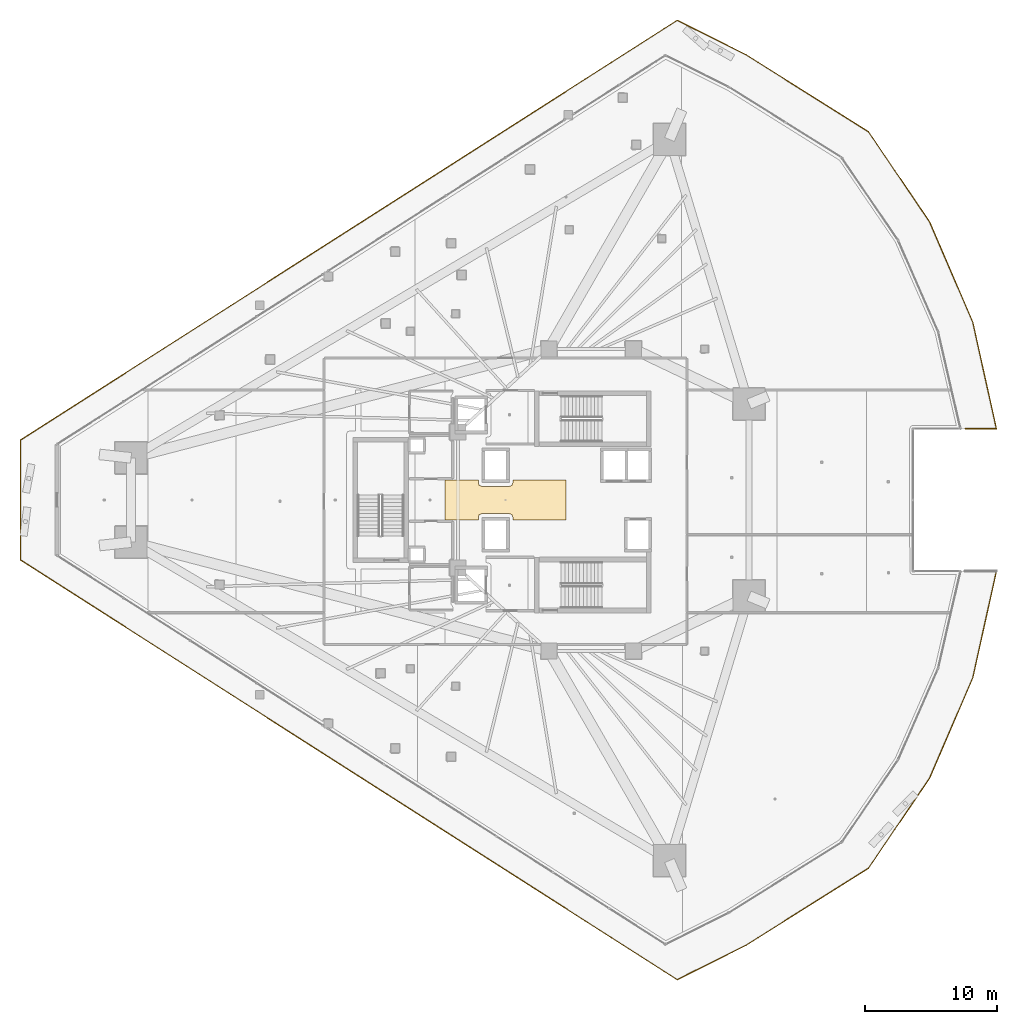
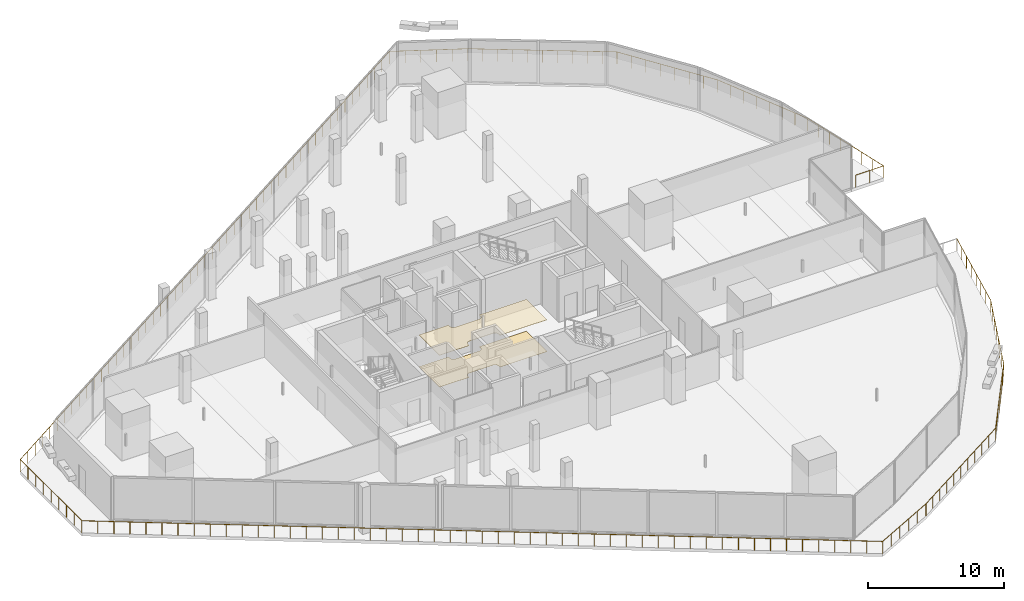
# One storey, part 40 of 42: 2 coverings, 1 railing.
"""IFC4 building model written with IfcOpenShell, lengths in metres."""

from ifc_helpers import new_model, si_unit, direction, frame, origin, origin_2d, place, context, subcontext, project, spatial, polyline, circle, outline, extrude, material, layer, layer_set, type_object, element, save


model = new_model("IFC4")

# Units and contexts
model_context = context("Model", 3, precision=1e-05, world=origin(), true_north=direction((0.0, 1.0)))
body_context = subcontext(model_context, "Body", "Model", "MODEL_VIEW")
ifc_project = project(units=[si_unit("LENGTHUNIT", "METRE"), si_unit("AREAUNIT", "SQUARE_METRE"), si_unit("VOLUMEUNIT", "CUBIC_METRE"), si_unit("PLANEANGLEUNIT", "RADIAN"), si_unit("MASSUNIT", "GRAM", prefix="KILO")], contexts=[model_context])

# Site, building, storey
site_placement = place(None, origin())
site = spatial("IfcSite", under=ifc_project, at=site_placement, CompositionType="ELEMENT")
building_placement = place(site_placement, origin())
building = spatial("IfcBuilding", under=site, at=building_placement, Name="Qorvath Tower", CompositionType="ELEMENT")
storey_placement = place(building_placement, frame((0.0, 0.0, 32.39990234375)))
storey = spatial("IfcBuildingStorey", under=building, at=storey_placement, Name="L06", CompositionType="ELEMENT", Elevation=32.39990234375)

# Coverings
ifc_material_1 = material(Name="Acoustic mineral fibre ceiling tile", Category="gypsum")
ifc_layer_1 = layer(ifc_material_1, 0.030029296875)
ifc_layer_set_1 = layer_set([ifc_layer_1], Name="COV-CEIL")
covering_type_1 = type_object("IfcCoveringType", Name="COV-CEIL", PredefinedType="CEILING", material=ifc_layer_set_1)
covering_1_placement = place(storey_placement, frame((0.0, 0.0, 2.85009765625)))
element("IfcCovering", 1, at=covering_1_placement, inside=storey, type_object=covering_type_1, Name="L06 Suspended Acoustic Ceiling 009", PredefinedType="CEILING", context=body_context, shape_type="SweptSolid", body=[
    extrude(outline(polyline([(-22.318359375, -1.514892578125), (-22.318359375, 1.514892578125), (-26.340087890625, 1.514892578125), (-26.340087890625, 1.2900390625), (-26.413330078125, 1.11328125), (-26.590087890625, 1.0400390625), (-28.7099609375, 1.0400390625), (-28.88671875, 1.11328125), (-28.9599609375, 1.2900390625), (-28.9599609375, 1.514892578125), (-31.481689453125, 1.514892578125), (-31.481689453125, -1.514892578125), (-28.9599609375, -1.514892578125), (-28.9599609375, -1.2900390625), (-28.88671875, -1.11328125), (-28.7099609375, -1.0400390625), (-26.590087890625, -1.0400390625), (-26.413330078125, -1.11328125), (-26.340087890625, -1.2900390625), (-26.340087890625, -1.514892578125), (-22.318359375, -1.514892578125)])), origin(), (0.0, 0.0, 1.0), 0.030029296875),
])
ifc_material_2 = material(Name="Polished epoxy terrazzo flooring", Category="concrete")
ifc_layer_2 = layer(ifc_material_2, 0.02001953125)
ifc_layer_set_2 = layer_set([ifc_layer_2], Name="COV-FLOOR-TRZ")
covering_type_2 = type_object("IfcCoveringType", Name="COV-FLOOR-TRZ", PredefinedType="FLOORING", material=ifc_layer_set_2)
covering_2_placement = place(storey_placement, origin())
element("IfcCovering", 2, at=covering_2_placement, inside=storey, type_object=covering_type_2, Name="L06 Floor Finish 009", PredefinedType="FLOORING", context=body_context, shape_type="SweptSolid", body=[
    extrude(outline(polyline([(-22.318359375, -1.514892578125), (-22.318359375, 1.514892578125), (-26.340087890625, 1.514892578125), (-26.340087890625, 1.2900390625), (-26.413330078125, 1.11328125), (-26.590087890625, 1.0400390625), (-28.7099609375, 1.0400390625), (-28.88671875, 1.11328125), (-28.9599609375, 1.2900390625), (-28.9599609375, 1.514892578125), (-31.481689453125, 1.514892578125), (-31.481689453125, -1.514892578125), (-28.9599609375, -1.514892578125), (-28.9599609375, -1.2900390625), (-28.88671875, -1.11328125), (-28.7099609375, -1.0400390625), (-26.590087890625, -1.0400390625), (-26.413330078125, -1.11328125), (-26.340087890625, -1.2900390625), (-26.340087890625, -1.514892578125), (-22.318359375, -1.514892578125)])), origin(), (0.0, 0.0, 1.0), 0.01513671875),
])

# Railing
ifc_material_3 = material(Name="Laminated safety glass and stainless steel AISI 316", Category="steel")
railing_type = type_object("IfcRailingType", Name="RL-EXT-GRD", PredefinedType="GUARDRAIL", material=ifc_material_3)
railing_placement = place(storey_placement, frame((10.32080078125, -5.39990234375, 0.0)))
element("IfcRailing", 3, at=railing_placement, inside=storey, type_object=railing_type, Name="Loggia Perimeter Guardrail L06-1.1", PredefinedType="GUARDRAIL", context=body_context, shape_type="SweptSolid", body=[
    extrude(circle(Radius=0.02392578125, at=origin_2d()), frame((0.0, 0.0, 1.09619140625), z_axis=(-0.216111367319, -0.976368719755, 0.0), x_axis=(0.976368719755, -0.216111367319, 0.0)), (0.0, 0.0, 1.0), 8.269287109375),
    extrude(circle(Radius=0.02392578125, at=origin_2d()), frame((-1.787109375, -8.073974609375, 1.09619140625), z_axis=(-0.395490176662, -0.918470206465, 0.0), x_axis=(0.918470206465, -0.395490176662, 0.0)), (0.0, 0.0, 1.0), 8.268798828125),
    extrude(circle(Radius=0.02392578125, at=origin_2d()), frame((-5.057373046875, -15.668701171875, 1.09619140625), z_axis=(-0.560810281293, -0.827944338948, 0.0), x_axis=(0.827944338948, -0.560810281293, 0.0)), (0.0, 0.0, 1.0), 8.269287109375),
    extrude(circle(Radius=0.02392578125, at=origin_2d()), frame((-9.69482421875, -22.51513671875, 1.09619140625), z_axis=(-0.846501906078, -0.532385690084, 0.0), x_axis=(0.532385690084, -0.846501906078, 0.0)), (0.0, 0.0, 1.0), 10.996337890625),
    extrude(circle(Radius=0.02392578125, at=origin_2d()), frame((-19.003173828125, -28.369384765625, 1.09619140625), z_axis=(-0.894410378143, -0.447247219634, 0.0), x_axis=(0.447247219634, -0.894410378143, 0.0)), (0.0, 0.0, 1.0), 5.80859375),
    extrude(circle(Radius=0.02392578125, at=origin_2d()), frame((-24.198486328125, -30.96728515625, 1.09619140625), z_axis=(-0.842603507833, 0.538534426557, 0.0), x_axis=(-0.538534426557, -0.842603507833, 0.0)), (0.0, 0.0, 1.0), 59.088623046875),
    extrude(circle(Radius=0.02392578125, at=origin_2d()), frame((-73.98681640625, 0.85400390625, 1.09619140625), z_axis=(0.0, 1.0, 0.0), x_axis=(-1.0, 0.0, 0.0)), (0.0, 0.0, 1.0), 9.091796875),
    extrude(circle(Radius=0.02392578125, at=origin_2d()), frame((-73.98681640625, 9.94580078125, 1.09619140625), z_axis=(0.842603507833, 0.538534426557, 0.0), x_axis=(-0.538534426557, 0.842603507833, 0.0)), (0.0, 0.0, 1.0), 59.088623046875),
    extrude(circle(Radius=0.02392578125, at=origin_2d()), frame((-24.198486328125, 41.76708984375, 1.09619140625), z_axis=(0.894410378143, -0.447247219634, 0.0), x_axis=(0.447247219634, 0.894410378143, 0.0)), (0.0, 0.0, 1.0), 5.80859375),
    extrude(circle(Radius=0.02392578125, at=origin_2d()), frame((-19.003173828125, 39.169189453125, 1.09619140625), z_axis=(0.846501906078, -0.532385690084, 0.0), x_axis=(0.532385690084, 0.846501906078, 0.0)), (0.0, 0.0, 1.0), 10.996337890625),
    extrude(circle(Radius=0.02392578125, at=origin_2d()), frame((-9.69482421875, 33.31494140625, 1.09619140625), z_axis=(0.560810281293, -0.827944338948, 0.0), x_axis=(0.827944338948, 0.560810281293, 0.0)), (0.0, 0.0, 1.0), 8.269287109375),
    extrude(circle(Radius=0.02392578125, at=origin_2d()), frame((-5.057373046875, 26.468505859375, 1.09619140625), z_axis=(0.395490176662, -0.918470206465, 0.0), x_axis=(0.918470206465, 0.395490176662, 0.0)), (0.0, 0.0, 1.0), 8.268798828125),
    extrude(circle(Radius=0.02392578125, at=origin_2d()), frame((-1.787109375, 18.873779296875, 1.09619140625), z_axis=(0.216111367319, -0.976368719755, 0.0), x_axis=(0.976368719755, 0.216111367319, 0.0)), (0.0, 0.0, 1.0), 8.269287109375),
    extrude(circle(Radius=0.02392578125, at=origin_2d()), frame((0.0, 10.7998046875, 1.09619140625), z_axis=(-1.0, 0.0, 0.0), x_axis=(0.0, -1.0, 0.0)), (0.0, 0.0, 1.0), 2.366455078125),
    extrude(circle(Radius=0.02099609375, at=origin_2d()), origin(), (0.0, 0.0, 1.0), 1.072021484375),
    extrude(circle(Radius=0.02099609375, at=origin_2d()), frame((-0.25537109375, -1.1533203125, 0.0)), (0.0, 0.0, 1.0), 1.072021484375),
    extrude(circle(Radius=0.02099609375, at=origin_2d()), frame((-0.510498046875, -2.306884765625, 0.0)), (0.0, 0.0, 1.0), 1.072021484375),
    extrude(circle(Radius=0.02099609375, at=origin_2d()), frame((-0.765869140625, -3.460205078125, 0.0)), (0.0, 0.0, 1.0), 1.072021484375),
    extrude(circle(Radius=0.02099609375, at=origin_2d()), frame((-1.021240234375, -4.61376953125, 0.0)), (0.0, 0.0, 1.0), 1.072021484375),
    extrude(circle(Radius=0.02099609375, at=origin_2d()), frame((-1.276611328125, -5.76708984375, 0.0)), (0.0, 0.0, 1.0), 1.072021484375),
    extrude(circle(Radius=0.02099609375, at=origin_2d()), frame((-1.53173828125, -6.920654296875, 0.0)), (0.0, 0.0, 1.0), 1.072021484375),
    extrude(circle(Radius=0.02099609375, at=origin_2d()), frame((-1.787109375, -8.073974609375, 0.0)), (0.0, 0.0, 1.0), 1.072021484375),
    extrude(circle(Radius=0.02099609375, at=origin_2d()), frame((-2.25439453125, -9.158935546875, 0.0)), (0.0, 0.0, 1.0), 1.072021484375),
    extrude(circle(Radius=0.02099609375, at=origin_2d()), frame((-2.721435546875, -10.243896484375, 0.0)), (0.0, 0.0, 1.0), 1.072021484375),
    extrude(circle(Radius=0.02099609375, at=origin_2d()), frame((-3.188720703125, -11.328857421875, 0.0)), (0.0, 0.0, 1.0), 1.072021484375),
    extrude(circle(Radius=0.02099609375, at=origin_2d()), frame((-3.65576171875, -12.413818359375, 0.0)), (0.0, 0.0, 1.0), 1.072021484375),
    extrude(circle(Radius=0.02099609375, at=origin_2d()), frame((-4.123046875, -13.498779296875, 0.0)), (0.0, 0.0, 1.0), 1.072021484375),
    extrude(circle(Radius=0.02099609375, at=origin_2d()), frame((-4.590087890625, -14.583740234375, 0.0)), (0.0, 0.0, 1.0), 1.072021484375),
    extrude(circle(Radius=0.02099609375, at=origin_2d()), frame((-5.057373046875, -15.668701171875, 0.0)), (0.0, 0.0, 1.0), 1.072021484375),
    extrude(circle(Radius=0.02099609375, at=origin_2d()), frame((-5.719970703125, -16.646728515625, 0.0)), (0.0, 0.0, 1.0), 1.072021484375),
    extrude(circle(Radius=0.02099609375, at=origin_2d()), frame((-6.38232421875, -17.624755859375, 0.0)), (0.0, 0.0, 1.0), 1.072021484375),
    extrude(circle(Radius=0.02099609375, at=origin_2d()), frame((-7.044921875, -18.602783203125, 0.0)), (0.0, 0.0, 1.0), 1.072021484375),
    extrude(circle(Radius=0.02099609375, at=origin_2d()), frame((-7.707275390625, -19.5810546875, 0.0)), (0.0, 0.0, 1.0), 1.072021484375),
    extrude(circle(Radius=0.02099609375, at=origin_2d()), frame((-8.369873046875, -20.55908203125, 0.0)), (0.0, 0.0, 1.0), 1.072021484375),
    extrude(circle(Radius=0.02099609375, at=origin_2d()), frame((-9.0322265625, -21.537109375, 0.0)), (0.0, 0.0, 1.0), 1.072021484375),
    extrude(circle(Radius=0.02099609375, at=origin_2d()), frame((-9.69482421875, -22.51513671875, 0.0)), (0.0, 0.0, 1.0), 1.072021484375),
    extrude(circle(Radius=0.02099609375, at=origin_2d()), frame((-10.625732421875, -23.1005859375, 0.0)), (0.0, 0.0, 1.0), 1.072021484375),
    extrude(circle(Radius=0.02099609375, at=origin_2d()), frame((-11.556396484375, -23.68603515625, 0.0)), (0.0, 0.0, 1.0), 1.072021484375),
    extrude(circle(Radius=0.02099609375, at=origin_2d()), frame((-12.4873046875, -24.271484375, 0.0)), (0.0, 0.0, 1.0), 1.072021484375),
    extrude(circle(Radius=0.02099609375, at=origin_2d()), frame((-13.418212890625, -24.85693359375, 0.0)), (0.0, 0.0, 1.0), 1.072021484375),
    extrude(circle(Radius=0.02099609375, at=origin_2d()), frame((-14.34912109375, -25.4423828125, 0.0)), (0.0, 0.0, 1.0), 1.072021484375),
    extrude(circle(Radius=0.02099609375, at=origin_2d()), frame((-15.27978515625, -26.027587890625, 0.0)), (0.0, 0.0, 1.0), 1.072021484375),
    extrude(circle(Radius=0.02099609375, at=origin_2d()), frame((-16.210693359375, -26.613037109375, 0.0)), (0.0, 0.0, 1.0), 1.072021484375),
    extrude(circle(Radius=0.02099609375, at=origin_2d()), frame((-17.1416015625, -27.198486328125, 0.0)), (0.0, 0.0, 1.0), 1.072021484375),
    extrude(circle(Radius=0.02099609375, at=origin_2d()), frame((-18.072265625, -27.783935546875, 0.0)), (0.0, 0.0, 1.0), 1.072021484375),
    extrude(circle(Radius=0.02099609375, at=origin_2d()), frame((-19.003173828125, -28.369384765625, 0.0)), (0.0, 0.0, 1.0), 1.072021484375),
    extrude(circle(Radius=0.02099609375, at=origin_2d()), frame((-20.042236328125, -28.888916015625, 0.0)), (0.0, 0.0, 1.0), 1.072021484375),
    extrude(circle(Radius=0.02099609375, at=origin_2d()), frame((-21.081298828125, -29.408447265625, 0.0)), (0.0, 0.0, 1.0), 1.072021484375),
    extrude(circle(Radius=0.02099609375, at=origin_2d()), frame((-22.120361328125, -29.92822265625, 0.0)), (0.0, 0.0, 1.0), 1.072021484375),
    extrude(circle(Radius=0.02099609375, at=origin_2d()), frame((-23.159423828125, -30.44775390625, 0.0)), (0.0, 0.0, 1.0), 1.072021484375),
    extrude(circle(Radius=0.02099609375, at=origin_2d()), frame((-24.198486328125, -30.96728515625, 0.0)), (0.0, 0.0, 1.0), 1.072021484375),
    extrude(circle(Radius=0.02099609375, at=origin_2d()), frame((-25.1943359375, -30.330810546875, 0.0)), (0.0, 0.0, 1.0), 1.072021484375),
    extrude(circle(Radius=0.02099609375, at=origin_2d()), frame((-26.18994140625, -29.6943359375, 0.0)), (0.0, 0.0, 1.0), 1.072021484375),
    extrude(circle(Radius=0.02099609375, at=origin_2d()), frame((-27.185791015625, -29.05810546875, 0.0)), (0.0, 0.0, 1.0), 1.072021484375),
    extrude(circle(Radius=0.02099609375, at=origin_2d()), frame((-28.181640625, -28.421630859375, 0.0)), (0.0, 0.0, 1.0), 1.072021484375),
    extrude(circle(Radius=0.02099609375, at=origin_2d()), frame((-29.17724609375, -27.78515625, 0.0)), (0.0, 0.0, 1.0), 1.072021484375),
    extrude(circle(Radius=0.02099609375, at=origin_2d()), frame((-30.173095703125, -27.148681640625, 0.0)), (0.0, 0.0, 1.0), 1.072021484375),
    extrude(circle(Radius=0.02099609375, at=origin_2d()), frame((-31.1689453125, -26.51220703125, 0.0)), (0.0, 0.0, 1.0), 1.072021484375),
    extrude(circle(Radius=0.02099609375, at=origin_2d()), frame((-32.16455078125, -25.8759765625, 0.0)), (0.0, 0.0, 1.0), 1.072021484375),
    extrude(circle(Radius=0.02099609375, at=origin_2d()), frame((-33.160400390625, -25.239501953125, 0.0)), (0.0, 0.0, 1.0), 1.072021484375),
    extrude(circle(Radius=0.02099609375, at=origin_2d()), frame((-34.15625, -24.60302734375, 0.0)), (0.0, 0.0, 1.0), 1.072021484375),
    extrude(circle(Radius=0.02099609375, at=origin_2d()), frame((-35.15185546875, -23.966552734375, 0.0)), (0.0, 0.0, 1.0), 1.072021484375),
    extrude(circle(Radius=0.02099609375, at=origin_2d()), frame((-36.147705078125, -23.330078125, 0.0)), (0.0, 0.0, 1.0), 1.072021484375),
    extrude(circle(Radius=0.02099609375, at=origin_2d()), frame((-37.1435546875, -22.69384765625, 0.0)), (0.0, 0.0, 1.0), 1.072021484375),
    extrude(circle(Radius=0.02099609375, at=origin_2d()), frame((-38.13916015625, -22.057373046875, 0.0)), (0.0, 0.0, 1.0), 1.072021484375),
    extrude(circle(Radius=0.02099609375, at=origin_2d()), frame((-39.135009765625, -21.4208984375, 0.0)), (0.0, 0.0, 1.0), 1.072021484375),
    extrude(circle(Radius=0.02099609375, at=origin_2d()), frame((-40.130859375, -20.784423828125, 0.0)), (0.0, 0.0, 1.0), 1.072021484375),
    extrude(circle(Radius=0.02099609375, at=origin_2d()), frame((-41.12646484375, -20.14794921875, 0.0)), (0.0, 0.0, 1.0), 1.072021484375),
    extrude(circle(Radius=0.02099609375, at=origin_2d()), frame((-42.122314453125, -19.51171875, 0.0)), (0.0, 0.0, 1.0), 1.072021484375),
    extrude(circle(Radius=0.02099609375, at=origin_2d()), frame((-43.1181640625, -18.875244140625, 0.0)), (0.0, 0.0, 1.0), 1.072021484375),
    extrude(circle(Radius=0.02099609375, at=origin_2d()), frame((-44.11376953125, -18.23876953125, 0.0)), (0.0, 0.0, 1.0), 1.072021484375),
    extrude(circle(Radius=0.02099609375, at=origin_2d()), frame((-45.109619140625, -17.602294921875, 0.0)), (0.0, 0.0, 1.0), 1.072021484375),
    extrude(circle(Radius=0.02099609375, at=origin_2d()), frame((-46.10546875, -16.9658203125, 0.0)), (0.0, 0.0, 1.0), 1.072021484375),
    extrude(circle(Radius=0.02099609375, at=origin_2d()), frame((-47.10107421875, -16.32958984375, 0.0)), (0.0, 0.0, 1.0), 1.072021484375),
    extrude(circle(Radius=0.02099609375, at=origin_2d()), frame((-48.096923828125, -15.693115234375, 0.0)), (0.0, 0.0, 1.0), 1.072021484375),
    extrude(circle(Radius=0.02099609375, at=origin_2d()), frame((-49.0927734375, -15.056640625, 0.0)), (0.0, 0.0, 1.0), 1.072021484375),
    extrude(circle(Radius=0.02099609375, at=origin_2d()), frame((-50.08837890625, -14.420166015625, 0.0)), (0.0, 0.0, 1.0), 1.072021484375),
    extrude(circle(Radius=0.02099609375, at=origin_2d()), frame((-51.084228515625, -13.78369140625, 0.0)), (0.0, 0.0, 1.0), 1.072021484375),
    extrude(circle(Radius=0.02099609375, at=origin_2d()), frame((-52.079833984375, -13.1474609375, 0.0)), (0.0, 0.0, 1.0), 1.072021484375),
    extrude(circle(Radius=0.02099609375, at=origin_2d()), frame((-53.07568359375, -12.510986328125, 0.0)), (0.0, 0.0, 1.0), 1.072021484375),
    extrude(circle(Radius=0.02099609375, at=origin_2d()), frame((-54.071533203125, -11.87451171875, 0.0)), (0.0, 0.0, 1.0), 1.072021484375),
    extrude(circle(Radius=0.02099609375, at=origin_2d()), frame((-55.067138671875, -11.238037109375, 0.0)), (0.0, 0.0, 1.0), 1.072021484375),
    extrude(circle(Radius=0.02099609375, at=origin_2d()), frame((-56.06298828125, -10.6015625, 0.0)), (0.0, 0.0, 1.0), 1.072021484375),
    extrude(circle(Radius=0.02099609375, at=origin_2d()), frame((-57.058837890625, -9.96533203125, 0.0)), (0.0, 0.0, 1.0), 1.072021484375),
    extrude(circle(Radius=0.02099609375, at=origin_2d()), frame((-58.054443359375, -9.328857421875, 0.0)), (0.0, 0.0, 1.0), 1.072021484375),
    extrude(circle(Radius=0.02099609375, at=origin_2d()), frame((-59.05029296875, -8.6923828125, 0.0)), (0.0, 0.0, 1.0), 1.072021484375),
    extrude(circle(Radius=0.02099609375, at=origin_2d()), frame((-60.046142578125, -8.055908203125, 0.0)), (0.0, 0.0, 1.0), 1.072021484375),
    extrude(circle(Radius=0.02099609375, at=origin_2d()), frame((-61.041748046875, -7.41943359375, 0.0)), (0.0, 0.0, 1.0), 1.072021484375),
    extrude(circle(Radius=0.02099609375, at=origin_2d()), frame((-62.03759765625, -6.783203125, 0.0)), (0.0, 0.0, 1.0), 1.072021484375),
    extrude(circle(Radius=0.02099609375, at=origin_2d()), frame((-63.033447265625, -6.146728515625, 0.0)), (0.0, 0.0, 1.0), 1.072021484375),
    extrude(circle(Radius=0.02099609375, at=origin_2d()), frame((-64.029052734375, -5.51025390625, 0.0)), (0.0, 0.0, 1.0), 1.072021484375),
    extrude(circle(Radius=0.02099609375, at=origin_2d()), frame((-65.02490234375, -4.873779296875, 0.0)), (0.0, 0.0, 1.0), 1.072021484375),
    extrude(circle(Radius=0.02099609375, at=origin_2d()), frame((-66.020751953125, -4.2373046875, 0.0)), (0.0, 0.0, 1.0), 1.072021484375),
    extrude(circle(Radius=0.02099609375, at=origin_2d()), frame((-67.016357421875, -3.60107421875, 0.0)), (0.0, 0.0, 1.0), 1.072021484375),
    extrude(circle(Radius=0.02099609375, at=origin_2d()), frame((-68.01220703125, -2.964599609375, 0.0)), (0.0, 0.0, 1.0), 1.072021484375),
    extrude(circle(Radius=0.02099609375, at=origin_2d()), frame((-69.008056640625, -2.328125, 0.0)), (0.0, 0.0, 1.0), 1.072021484375),
    extrude(circle(Radius=0.02099609375, at=origin_2d()), frame((-70.003662109375, -1.691650390625, 0.0)), (0.0, 0.0, 1.0), 1.072021484375),
    extrude(circle(Radius=0.02099609375, at=origin_2d()), frame((-70.99951171875, -1.05517578125, 0.0)), (0.0, 0.0, 1.0), 1.072021484375),
    extrude(circle(Radius=0.02099609375, at=origin_2d()), frame((-71.995361328125, -0.4189453125, 0.0)), (0.0, 0.0, 1.0), 1.072021484375),
    extrude(circle(Radius=0.02099609375, at=origin_2d()), frame((-72.990966796875, 0.217529296875, 0.0)), (0.0, 0.0, 1.0), 1.072021484375),
    extrude(circle(Radius=0.02099609375, at=origin_2d()), frame((-73.98681640625, 0.85400390625, 0.0)), (0.0, 0.0, 1.0), 1.072021484375),
    extrude(circle(Radius=0.02099609375, at=origin_2d()), frame((-73.98681640625, 1.990478515625, 0.0)), (0.0, 0.0, 1.0), 1.072021484375),
    extrude(circle(Radius=0.02099609375, at=origin_2d()), frame((-73.98681640625, 3.126953125, 0.0)), (0.0, 0.0, 1.0), 1.072021484375),
    extrude(circle(Radius=0.02099609375, at=origin_2d()), frame((-73.98681640625, 4.263427734375, 0.0)), (0.0, 0.0, 1.0), 1.072021484375),
    extrude(circle(Radius=0.02099609375, at=origin_2d()), frame((-73.98681640625, 5.39990234375, 0.0)), (0.0, 0.0, 1.0), 1.072021484375),
    extrude(circle(Radius=0.02099609375, at=origin_2d()), frame((-73.98681640625, 6.536376953125, 0.0)), (0.0, 0.0, 1.0), 1.072021484375),
    extrude(circle(Radius=0.02099609375, at=origin_2d()), frame((-73.98681640625, 7.6728515625, 0.0)), (0.0, 0.0, 1.0), 1.072021484375),
    extrude(circle(Radius=0.02099609375, at=origin_2d()), frame((-73.98681640625, 8.809326171875, 0.0)), (0.0, 0.0, 1.0), 1.072021484375),
    extrude(circle(Radius=0.02099609375, at=origin_2d()), frame((-73.98681640625, 9.94580078125, 0.0)), (0.0, 0.0, 1.0), 1.072021484375),
    extrude(circle(Radius=0.02099609375, at=origin_2d()), frame((-72.990966796875, 10.582275390625, 0.0)), (0.0, 0.0, 1.0), 1.072021484375),
    extrude(circle(Radius=0.02099609375, at=origin_2d()), frame((-71.995361328125, 11.21875, 0.0)), (0.0, 0.0, 1.0), 1.072021484375),
    extrude(circle(Radius=0.02099609375, at=origin_2d()), frame((-70.99951171875, 11.85498046875, 0.0)), (0.0, 0.0, 1.0), 1.072021484375),
    extrude(circle(Radius=0.02099609375, at=origin_2d()), frame((-70.003662109375, 12.491455078125, 0.0)), (0.0, 0.0, 1.0), 1.072021484375),
    extrude(circle(Radius=0.02099609375, at=origin_2d()), frame((-69.008056640625, 13.1279296875, 0.0)), (0.0, 0.0, 1.0), 1.072021484375),
    extrude(circle(Radius=0.02099609375, at=origin_2d()), frame((-68.01220703125, 13.764404296875, 0.0)), (0.0, 0.0, 1.0), 1.072021484375),
    extrude(circle(Radius=0.02099609375, at=origin_2d()), frame((-67.016357421875, 14.40087890625, 0.0)), (0.0, 0.0, 1.0), 1.072021484375),
    extrude(circle(Radius=0.02099609375, at=origin_2d()), frame((-66.020751953125, 15.037109375, 0.0)), (0.0, 0.0, 1.0), 1.072021484375),
    extrude(circle(Radius=0.02099609375, at=origin_2d()), frame((-65.02490234375, 15.673583984375, 0.0)), (0.0, 0.0, 1.0), 1.072021484375),
    extrude(circle(Radius=0.02099609375, at=origin_2d()), frame((-64.029052734375, 16.31005859375, 0.0)), (0.0, 0.0, 1.0), 1.072021484375),
    extrude(circle(Radius=0.02099609375, at=origin_2d()), frame((-63.033447265625, 16.946533203125, 0.0)), (0.0, 0.0, 1.0), 1.072021484375),
    extrude(circle(Radius=0.02099609375, at=origin_2d()), frame((-62.03759765625, 17.5830078125, 0.0)), (0.0, 0.0, 1.0), 1.072021484375),
    extrude(circle(Radius=0.02099609375, at=origin_2d()), frame((-61.041748046875, 18.21923828125, 0.0)), (0.0, 0.0, 1.0), 1.072021484375),
    extrude(circle(Radius=0.02099609375, at=origin_2d()), frame((-60.046142578125, 18.855712890625, 0.0)), (0.0, 0.0, 1.0), 1.072021484375),
    extrude(circle(Radius=0.02099609375, at=origin_2d()), frame((-59.05029296875, 19.4921875, 0.0)), (0.0, 0.0, 1.0), 1.072021484375),
    extrude(circle(Radius=0.02099609375, at=origin_2d()), frame((-58.054443359375, 20.128662109375, 0.0)), (0.0, 0.0, 1.0), 1.072021484375),
    extrude(circle(Radius=0.02099609375, at=origin_2d()), frame((-57.058837890625, 20.76513671875, 0.0)), (0.0, 0.0, 1.0), 1.072021484375),
    extrude(circle(Radius=0.02099609375, at=origin_2d()), frame((-56.06298828125, 21.4013671875, 0.0)), (0.0, 0.0, 1.0), 1.072021484375),
    extrude(circle(Radius=0.02099609375, at=origin_2d()), frame((-55.067138671875, 22.037841796875, 0.0)), (0.0, 0.0, 1.0), 1.072021484375),
    extrude(circle(Radius=0.02099609375, at=origin_2d()), frame((-54.071533203125, 22.67431640625, 0.0)), (0.0, 0.0, 1.0), 1.072021484375),
    extrude(circle(Radius=0.02099609375, at=origin_2d()), frame((-53.07568359375, 23.310791015625, 0.0)), (0.0, 0.0, 1.0), 1.072021484375),
    extrude(circle(Radius=0.02099609375, at=origin_2d()), frame((-52.079833984375, 23.947265625, 0.0)), (0.0, 0.0, 1.0), 1.072021484375),
    extrude(circle(Radius=0.02099609375, at=origin_2d()), frame((-51.084228515625, 24.58349609375, 0.0)), (0.0, 0.0, 1.0), 1.072021484375),
    extrude(circle(Radius=0.02099609375, at=origin_2d()), frame((-50.08837890625, 25.219970703125, 0.0)), (0.0, 0.0, 1.0), 1.072021484375),
    extrude(circle(Radius=0.02099609375, at=origin_2d()), frame((-49.0927734375, 25.8564453125, 0.0)), (0.0, 0.0, 1.0), 1.072021484375),
    extrude(circle(Radius=0.02099609375, at=origin_2d()), frame((-48.096923828125, 26.492919921875, 0.0)), (0.0, 0.0, 1.0), 1.072021484375),
    extrude(circle(Radius=0.02099609375, at=origin_2d()), frame((-47.10107421875, 27.12939453125, 0.0)), (0.0, 0.0, 1.0), 1.072021484375),
    extrude(circle(Radius=0.02099609375, at=origin_2d()), frame((-46.10546875, 27.765625, 0.0)), (0.0, 0.0, 1.0), 1.072021484375),
    extrude(circle(Radius=0.02099609375, at=origin_2d()), frame((-45.109619140625, 28.402099609375, 0.0)), (0.0, 0.0, 1.0), 1.072021484375),
    extrude(circle(Radius=0.02099609375, at=origin_2d()), frame((-44.11376953125, 29.03857421875, 0.0)), (0.0, 0.0, 1.0), 1.072021484375),
    extrude(circle(Radius=0.02099609375, at=origin_2d()), frame((-43.1181640625, 29.675048828125, 0.0)), (0.0, 0.0, 1.0), 1.072021484375),
    extrude(circle(Radius=0.02099609375, at=origin_2d()), frame((-42.122314453125, 30.3115234375, 0.0)), (0.0, 0.0, 1.0), 1.072021484375),
    extrude(circle(Radius=0.02099609375, at=origin_2d()), frame((-41.12646484375, 30.94775390625, 0.0)), (0.0, 0.0, 1.0), 1.072021484375),
    extrude(circle(Radius=0.02099609375, at=origin_2d()), frame((-40.130859375, 31.584228515625, 0.0)), (0.0, 0.0, 1.0), 1.072021484375),
    extrude(circle(Radius=0.02099609375, at=origin_2d()), frame((-39.135009765625, 32.220703125, 0.0)), (0.0, 0.0, 1.0), 1.072021484375),
    extrude(circle(Radius=0.02099609375, at=origin_2d()), frame((-38.13916015625, 32.857177734375, 0.0)), (0.0, 0.0, 1.0), 1.072021484375),
    extrude(circle(Radius=0.02099609375, at=origin_2d()), frame((-37.1435546875, 33.49365234375, 0.0)), (0.0, 0.0, 1.0), 1.072021484375),
    extrude(circle(Radius=0.02099609375, at=origin_2d()), frame((-36.147705078125, 34.1298828125, 0.0)), (0.0, 0.0, 1.0), 1.072021484375),
    extrude(circle(Radius=0.02099609375, at=origin_2d()), frame((-35.15185546875, 34.766357421875, 0.0)), (0.0, 0.0, 1.0), 1.072021484375),
    extrude(circle(Radius=0.02099609375, at=origin_2d()), frame((-34.15625, 35.40283203125, 0.0)), (0.0, 0.0, 1.0), 1.072021484375),
    extrude(circle(Radius=0.02099609375, at=origin_2d()), frame((-33.160400390625, 36.039306640625, 0.0)), (0.0, 0.0, 1.0), 1.072021484375),
    extrude(circle(Radius=0.02099609375, at=origin_2d()), frame((-32.16455078125, 36.67578125, 0.0)), (0.0, 0.0, 1.0), 1.072021484375),
    extrude(circle(Radius=0.02099609375, at=origin_2d()), frame((-31.1689453125, 37.31201171875, 0.0)), (0.0, 0.0, 1.0), 1.072021484375),
    extrude(circle(Radius=0.02099609375, at=origin_2d()), frame((-30.173095703125, 37.948486328125, 0.0)), (0.0, 0.0, 1.0), 1.072021484375),
    extrude(circle(Radius=0.02099609375, at=origin_2d()), frame((-29.17724609375, 38.5849609375, 0.0)), (0.0, 0.0, 1.0), 1.072021484375),
    extrude(circle(Radius=0.02099609375, at=origin_2d()), frame((-28.181640625, 39.221435546875, 0.0)), (0.0, 0.0, 1.0), 1.072021484375),
    extrude(circle(Radius=0.02099609375, at=origin_2d()), frame((-27.185791015625, 39.85791015625, 0.0)), (0.0, 0.0, 1.0), 1.072021484375),
    extrude(circle(Radius=0.02099609375, at=origin_2d()), frame((-26.18994140625, 40.494140625, 0.0)), (0.0, 0.0, 1.0), 1.072021484375),
    extrude(circle(Radius=0.02099609375, at=origin_2d()), frame((-25.1943359375, 41.130615234375, 0.0)), (0.0, 0.0, 1.0), 1.072021484375),
    extrude(circle(Radius=0.02099609375, at=origin_2d()), frame((-24.198486328125, 41.76708984375, 0.0)), (0.0, 0.0, 1.0), 1.072021484375),
    extrude(circle(Radius=0.02099609375, at=origin_2d()), frame((-23.159423828125, 41.24755859375, 0.0)), (0.0, 0.0, 1.0), 1.072021484375),
    extrude(circle(Radius=0.02099609375, at=origin_2d()), frame((-22.120361328125, 40.72802734375, 0.0)), (0.0, 0.0, 1.0), 1.072021484375),
    extrude(circle(Radius=0.02099609375, at=origin_2d()), frame((-21.081298828125, 40.208251953125, 0.0)), (0.0, 0.0, 1.0), 1.072021484375),
    extrude(circle(Radius=0.02099609375, at=origin_2d()), frame((-20.042236328125, 39.688720703125, 0.0)), (0.0, 0.0, 1.0), 1.072021484375),
    extrude(circle(Radius=0.02099609375, at=origin_2d()), frame((-19.003173828125, 39.169189453125, 0.0)), (0.0, 0.0, 1.0), 1.072021484375),
    extrude(circle(Radius=0.02099609375, at=origin_2d()), frame((-18.072265625, 38.583740234375, 0.0)), (0.0, 0.0, 1.0), 1.072021484375),
    extrude(circle(Radius=0.02099609375, at=origin_2d()), frame((-17.1416015625, 37.998291015625, 0.0)), (0.0, 0.0, 1.0), 1.072021484375),
    extrude(circle(Radius=0.02099609375, at=origin_2d()), frame((-16.210693359375, 37.412841796875, 0.0)), (0.0, 0.0, 1.0), 1.072021484375),
    extrude(circle(Radius=0.02099609375, at=origin_2d()), frame((-15.27978515625, 36.827392578125, 0.0)), (0.0, 0.0, 1.0), 1.072021484375),
    extrude(circle(Radius=0.02099609375, at=origin_2d()), frame((-14.34912109375, 36.2421875, 0.0)), (0.0, 0.0, 1.0), 1.072021484375),
    extrude(circle(Radius=0.02099609375, at=origin_2d()), frame((-13.418212890625, 35.65673828125, 0.0)), (0.0, 0.0, 1.0), 1.072021484375),
    extrude(circle(Radius=0.02099609375, at=origin_2d()), frame((-12.4873046875, 35.0712890625, 0.0)), (0.0, 0.0, 1.0), 1.072021484375),
    extrude(circle(Radius=0.02099609375, at=origin_2d()), frame((-11.556396484375, 34.48583984375, 0.0)), (0.0, 0.0, 1.0), 1.072021484375),
    extrude(circle(Radius=0.02099609375, at=origin_2d()), frame((-10.625732421875, 33.900390625, 0.0)), (0.0, 0.0, 1.0), 1.072021484375),
    extrude(circle(Radius=0.02099609375, at=origin_2d()), frame((-9.69482421875, 33.31494140625, 0.0)), (0.0, 0.0, 1.0), 1.072021484375),
    extrude(circle(Radius=0.02099609375, at=origin_2d()), frame((-9.0322265625, 32.3369140625, 0.0)), (0.0, 0.0, 1.0), 1.072021484375),
    extrude(circle(Radius=0.02099609375, at=origin_2d()), frame((-8.369873046875, 31.35888671875, 0.0)), (0.0, 0.0, 1.0), 1.072021484375),
    extrude(circle(Radius=0.02099609375, at=origin_2d()), frame((-7.707275390625, 30.380859375, 0.0)), (0.0, 0.0, 1.0), 1.072021484375),
    extrude(circle(Radius=0.02099609375, at=origin_2d()), frame((-7.044921875, 29.402587890625, 0.0)), (0.0, 0.0, 1.0), 1.072021484375),
    extrude(circle(Radius=0.02099609375, at=origin_2d()), frame((-6.38232421875, 28.424560546875, 0.0)), (0.0, 0.0, 1.0), 1.072021484375),
    extrude(circle(Radius=0.02099609375, at=origin_2d()), frame((-5.719970703125, 27.446533203125, 0.0)), (0.0, 0.0, 1.0), 1.072021484375),
    extrude(circle(Radius=0.02099609375, at=origin_2d()), frame((-5.057373046875, 26.468505859375, 0.0)), (0.0, 0.0, 1.0), 1.072021484375),
    extrude(circle(Radius=0.02099609375, at=origin_2d()), frame((-4.590087890625, 25.383544921875, 0.0)), (0.0, 0.0, 1.0), 1.072021484375),
    extrude(circle(Radius=0.02099609375, at=origin_2d()), frame((-4.123046875, 24.298583984375, 0.0)), (0.0, 0.0, 1.0), 1.072021484375),
    extrude(circle(Radius=0.02099609375, at=origin_2d()), frame((-3.65576171875, 23.213623046875, 0.0)), (0.0, 0.0, 1.0), 1.072021484375),
    extrude(circle(Radius=0.02099609375, at=origin_2d()), frame((-3.188720703125, 22.128662109375, 0.0)), (0.0, 0.0, 1.0), 1.072021484375),
    extrude(circle(Radius=0.02099609375, at=origin_2d()), frame((-2.721435546875, 21.043701171875, 0.0)), (0.0, 0.0, 1.0), 1.072021484375),
    extrude(circle(Radius=0.02099609375, at=origin_2d()), frame((-2.25439453125, 19.958740234375, 0.0)), (0.0, 0.0, 1.0), 1.072021484375),
    extrude(circle(Radius=0.02099609375, at=origin_2d()), frame((-1.787109375, 18.873779296875, 0.0)), (0.0, 0.0, 1.0), 1.072021484375),
    extrude(circle(Radius=0.02099609375, at=origin_2d()), frame((-1.53173828125, 17.720458984375, 0.0)), (0.0, 0.0, 1.0), 1.072021484375),
    extrude(circle(Radius=0.02099609375, at=origin_2d()), frame((-1.276611328125, 16.56689453125, 0.0)), (0.0, 0.0, 1.0), 1.072021484375),
    extrude(circle(Radius=0.02099609375, at=origin_2d()), frame((-1.021240234375, 15.41357421875, 0.0)), (0.0, 0.0, 1.0), 1.072021484375),
    extrude(circle(Radius=0.02099609375, at=origin_2d()), frame((-0.765869140625, 14.260009765625, 0.0)), (0.0, 0.0, 1.0), 1.072021484375),
    extrude(circle(Radius=0.02099609375, at=origin_2d()), frame((-0.510498046875, 13.106689453125, 0.0)), (0.0, 0.0, 1.0), 1.072021484375),
    extrude(circle(Radius=0.02099609375, at=origin_2d()), frame((-0.25537109375, 11.953125, 0.0)), (0.0, 0.0, 1.0), 1.072021484375),
    extrude(circle(Radius=0.02099609375, at=origin_2d()), frame((0.0, 10.7998046875, 0.0)), (0.0, 0.0, 1.0), 1.072021484375),
    extrude(circle(Radius=0.02099609375, at=origin_2d()), frame((-1.18310546875, 10.7998046875, 0.0)), (0.0, 0.0, 1.0), 1.072021484375),
    extrude(circle(Radius=0.02099609375, at=origin_2d()), frame((-2.366455078125, 10.7998046875, 0.0)), (0.0, 0.0, 1.0), 1.072021484375),
])

save(model, "model.ifc")
